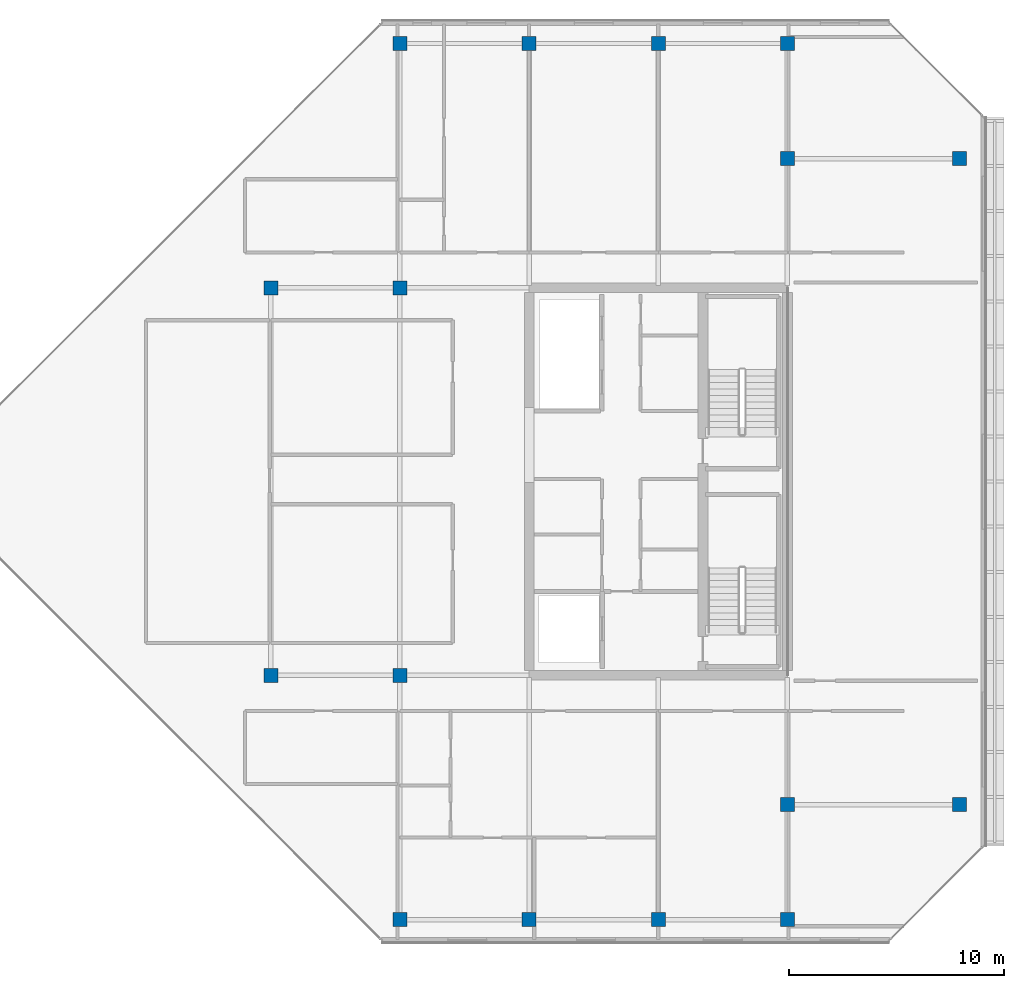
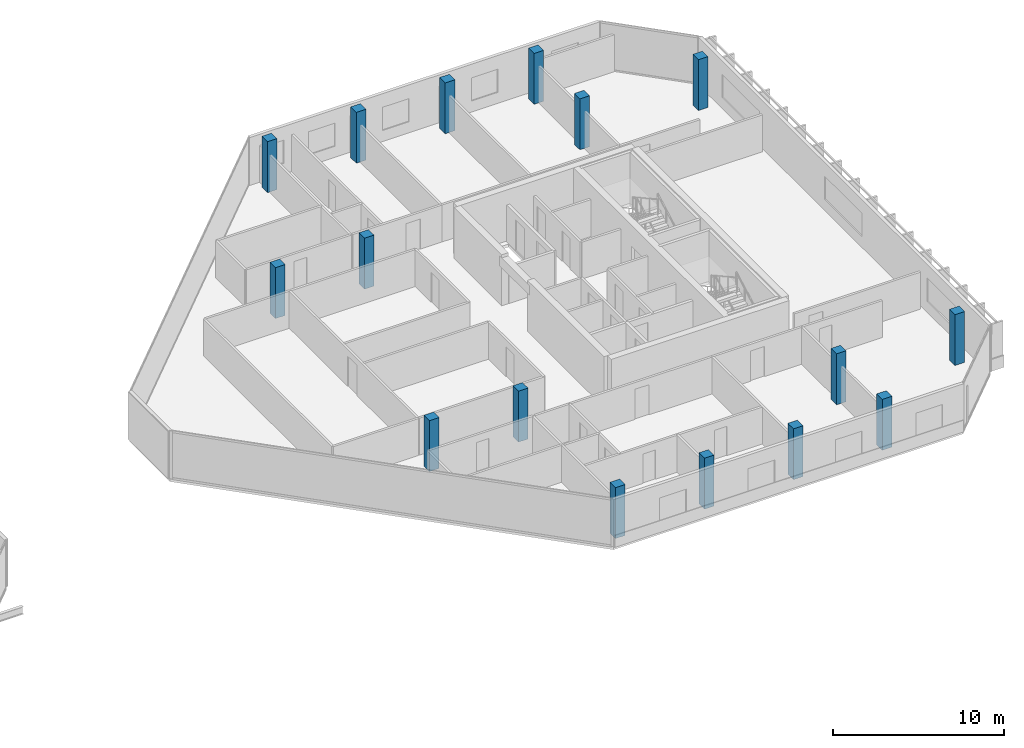
# One storey, part 1 of 28: 16 columns.
"""IFC4 building model written with IfcOpenShell, lengths in metres."""

from ifc_helpers import new_model, si_unit, direction, frame, origin, origin_2d, place, context, subcontext, project, spatial, rectangle, extrude, material, material_profile, profile_set, type_object, element, save


model = new_model("IFC4")

# Units and contexts
model_context = context("Model", 3, precision=1e-05, world=origin(), true_north=direction((0.0, 1.0)))
body_context = subcontext(model_context, "Body", "Model", "MODEL_VIEW")
ifc_project = project(units=[si_unit("LENGTHUNIT", "METRE"), si_unit("AREAUNIT", "SQUARE_METRE"), si_unit("VOLUMEUNIT", "CUBIC_METRE"), si_unit("PLANEANGLEUNIT", "RADIAN"), si_unit("MASSUNIT", "GRAM", prefix="KILO")], contexts=[model_context])

# Site, building, storey
site_placement = place(None, origin())
site = spatial("IfcSite", under=ifc_project, at=site_placement, CompositionType="ELEMENT")
building_placement = place(site_placement, origin())
building = spatial("IfcBuilding", under=site, at=building_placement, Name="Tanjung Sevakor Pilgrim Tower", CompositionType="ELEMENT")
storey_placement = place(building_placement, frame((0.0, 0.0, 246.179931640625)))
storey = spatial("IfcBuildingStorey", under=building, at=storey_placement, Name="L69", CompositionType="ELEMENT", Elevation=246.179931640625)

# Columns
ifc_material = material(Name="Concrete C60/75", Category="concrete")
ifc_material_profile = material_profile(ifc_material, rectangle(XDim=0.64990234375, YDim=0.64990234375, at=origin_2d()))
ifc_profile_set = profile_set([ifc_material_profile], Name="Concrete C60/75")
column_type = type_object("IfcColumnType", Name="COL-C-T650-RC_650x650", PredefinedType="COLUMN", material=ifc_profile_set)
for number, where, z_axis, x_axis, name in (
    (1, (66.0, 24.60009765625, 0.0), (0.0, 0.0, 1.0), (1.0, 0.0, 0.0), "L69 Column SPE-066-246"),
    (2, (66.0, 42.60009765625, 0.0), (0.0, 0.0, 1.0), (1.0, 0.0, 0.0), "L69 Column SPE-066-426"),
    (3, (72.0, 24.60009765625, 0.0), (0.0, 0.0, 1.0), (1.0, 0.0, 0.0), "L69 Column SPE-072-246"),
    (4, (72.0, 42.60009765625, 0.0), (0.0, 0.0, 1.0), (1.0, 0.0, 0.0), "L69 Column SPE-072-426"),
    (5, (90.0, 18.60009765625, 0.0), (0.0, 0.0, 1.0), (1.0, 0.0, 0.0), "L69 Column TCE-0900-186"),
    (6, (90.0, 48.60009765625, 0.0), (0.0, 0.0, 1.0), (1.0, 0.0, 0.0), "L69 Column TCE-0900-486"),
    (7, (98.0, 18.60009765625, 0.0), (0.0, 0.0, 1.0), (1.0, 0.0, 0.0), "L69 Column TCE-0980-186"),
    (8, (98.0, 48.60009765625, 0.0), (0.0, 0.0, 1.0), (1.0, 0.0, 0.0), "L69 Column TCE-0980-486"),
    (9, (72.0, 13.25, 0.0), (0.0, 0.0, 1.0), (1.0, 0.0, 0.0), "L69 Column TC4-072-132"),
    (10, (72.0, 53.949951171875, 0.0), (0.0, 0.0, 1.0), (1.0, 0.0, 0.0), "L69 Column TC4-072-540"),
    (11, (78.0, 13.25, 0.0), (0.0, 0.0, 1.0), (1.0, 0.0, 0.0), "L69 Column TC4-078-132"),
    (12, (78.0, 53.949951171875, 0.0), (0.0, 0.0, 1.0), (1.0, 0.0, 0.0), "L69 Column TC4-078-540"),
    (13, (84.0, 13.25, 0.0), (0.0, 0.0, 1.0), (1.0, 0.0, 0.0), "L69 Column TC4-084-132"),
    (14, (84.0, 53.949951171875, 0.0), (0.0, 0.0, 1.0), (1.0, 0.0, 0.0), "L69 Column TC4-084-540"),
    (15, (90.0, 13.25, 0.0), (0.0, 0.0, 1.0), (1.0, 0.0, 0.0), "L69 Column TC4-090-132"),
    (16, (90.0, 53.949951171875, 0.0), (0.0, 0.0, 1.0), (1.0, 0.0, 0.0), "L69 Column TC4-090-540"),
):
    element("IfcColumn", number, at=place(storey_placement, frame(where, z_axis=z_axis, x_axis=x_axis)), inside=storey, type_object=column_type, Name=name, PredefinedType="COLUMN", context=body_context, shape_type="SweptSolid", body=[
        extrude(rectangle(XDim=0.64990234375, YDim=0.64990234375, at=origin_2d()), origin(), (0.0, 0.0, 1.0), 3.630126953125),
    ])

save(model, "model.ifc")
